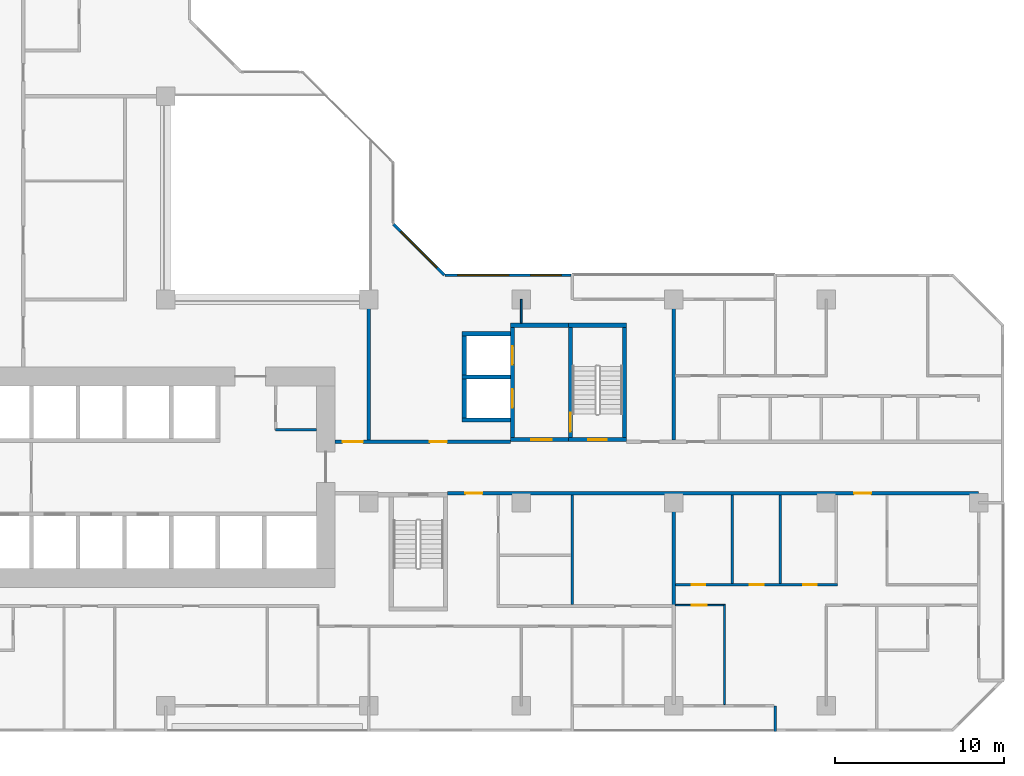
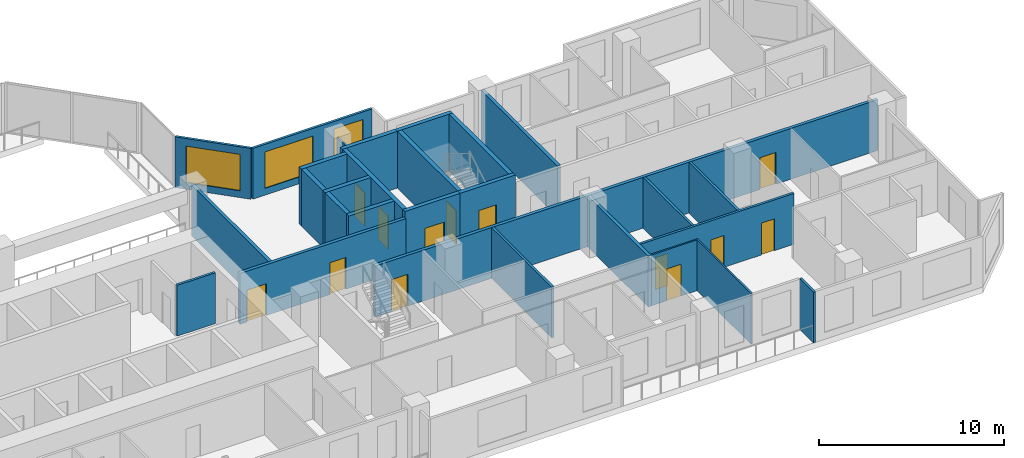
# One storey, part 7 of 15: 28 walls, 13 doors, 3 windows, 16 openings.
"""IFC4 building model written with IfcOpenShell, lengths in metres."""

from ifc_helpers import new_model, si_unit, direction, frame, frame_2d, origin, place, context, subcontext, project, spatial, rectangle, extrude, material, layer, layer_set, type_object, element, fill, save


model = new_model("IFC4")

# Units and contexts
model_context = context("Model", 3, precision=1e-05, world=origin(), true_north=direction((0.0, 1.0)))
body_context = subcontext(model_context, "Body", "Model", "MODEL_VIEW")
ifc_project = project(units=[si_unit("LENGTHUNIT", "METRE"), si_unit("AREAUNIT", "SQUARE_METRE"), si_unit("VOLUMEUNIT", "CUBIC_METRE"), si_unit("PLANEANGLEUNIT", "RADIAN"), si_unit("MASSUNIT", "GRAM", prefix="KILO")], contexts=[model_context])

# Site, building, storey
site_placement = place(None, origin())
site = spatial("IfcSite", under=ifc_project, at=site_placement, CompositionType="ELEMENT")
building_placement = place(site_placement, origin())
building = spatial("IfcBuilding", under=site, at=building_placement, Name="Chenar Terraces", CompositionType="ELEMENT")
storey_placement = place(building_placement, frame((0.0, 0.0, 52.64990234375)))
storey = spatial("IfcBuildingStorey", under=building, at=storey_placement, Name="L10", CompositionType="ELEMENT", Elevation=52.64990234375)

# Wall
ifc_material_1 = material(Name="Gypsum board on steel studs", Category="steel")
ifc_layer_1 = layer(ifc_material_1, 0.14990234375)
ifc_layer_set_1 = layer_set([ifc_layer_1], Name="Gypsum board on steel studs")
wall_type_1 = type_object("IfcWallType", Name="Core partition 150 gypsum board", PredefinedType="PARTITIONING", material=ifc_layer_set_1)
wall_1_placement = place(storey_placement, frame((30.5, 16.300048828125, 0.0), z_axis=(0.0, 0.0, 1.0), x_axis=(1.0, 0.0, 0.0)))
element("IfcWall", 1, at=wall_1_placement, inside=storey, type_object=wall_type_1, Name="Core partition CP1 vestibule room south wall", PredefinedType="PARTITIONING", context=body_context, shape_type="SweptSolid", body=[
    extrude(rectangle(XDim=2.39990234375, YDim=0.14990234375, at=frame_2d((1.199951171875, 0.0))), origin(), (0.0, 0.0, 1.0), 3.35009765625),
])

# Wall, opening, door
ifc_material_2 = material(Name="Concrete C70/85", Category="concrete")
ifc_layer_2 = layer(ifc_material_2, 0.25)
ifc_layer_set_2 = layer_set([ifc_layer_2], Name="Concrete C70/85")
wall_type_2 = type_object("IfcWallType", Name="Core wall 250 Concrete C70/85", PredefinedType="SHEAR", material=ifc_layer_set_2)
wall_2_placement = place(storey_placement, frame((47.77490234375, 15.72509765625, 0.0), z_axis=(0.0, 0.0, 1.0), x_axis=(1.0, 0.0, 0.0)))
wall_2 = element("IfcWall", 2, at=wall_2_placement, inside=storey, type_object=wall_type_2, Name="Core wall ST3_S L10", PredefinedType="SHEAR", context=body_context, shape_type="SweptSolid", body=[
    extrude(rectangle(XDim=3.4501953125, YDim=0.25, at=frame_2d((1.72509765625, 0.0))), origin(), (0.0, 0.0, 1.0), 3.75),
])
opening_1_placement = place(wall_2_placement, frame((1.175048828125, 0.0, 0.0)))
opening_1 = element("IfcOpeningElement", 3, at=opening_1_placement, cuts=wall_2, Name="Opening DL10-C8", PredefinedType="OPENING", context=body_context, shape_type="SweptSolid", body=[
    extrude(rectangle(XDim=1.10009765625, YDim=2.199951171875, at=frame_2d((0.550048828125, 1.10009765625))), frame((0.0, 0.135009765625, 0.0), z_axis=(0.0, -1.0, 0.0), x_axis=(1.0, 0.0, 0.0)), (0.0, 0.0, 1.0), 0.27001953125),
])
ifc_material_3 = material(Name="Steel-framed fire-resisting door leaf", Category="steel")
door_type_1 = type_object("IfcDoorType", Name="Stair fire door FD60 1100 x 2200", OperationType="SINGLE_SWING_LEFT", PredefinedType="DOOR", material=ifc_material_3)
door_1_placement = place(opening_1_placement, frame((1.10009765625, 0.0, 0.0), z_axis=(0.0, 0.0, 1.0), x_axis=(-1.0, 0.0, 0.0)))
door_1 = element("IfcDoor", 4, at=door_1_placement, inside=storey, type_object=door_type_1, Name="Stair door DL10-C8", OperationType="SINGLE_SWING_LEFT", OverallHeight=2.199951171875, OverallWidth=1.10009765625, PredefinedType="DOOR", context=body_context, shape_type="SweptSolid", body=[
    extrude(rectangle(XDim=1.10009765625, YDim=2.199951171875, at=frame_2d((0.550048828125, 1.10009765625))), frame((0.0, 0.02490234375, 0.0), z_axis=(0.0, -1.0, 0.0), x_axis=(1.0, 0.0, 0.0)), (0.0, 0.0, 1.0), 0.050048828125),
])
fill(opening_1, door_1)

# Wall
wall_3_placement = place(storey_placement, frame((47.77490234375, 22.47509765625, 0.0), z_axis=(0.0, 0.0, 1.0), x_axis=(1.0, 0.0, 0.0)))
element("IfcWall", 5, at=wall_3_placement, inside=storey, type_object=wall_type_2, Name="Core wall ST3_N L10", PredefinedType="SHEAR", context=body_context, shape_type="SweptSolid", body=[
    extrude(rectangle(XDim=3.4501953125, YDim=0.25, at=frame_2d((1.72509765625, 0.0))), origin(), (0.0, 0.0, 1.0), 3.75),
])

# Wall, opening, door
wall_4_placement = place(storey_placement, frame((47.89990234375, 15.85009765625, 0.0), z_axis=(0.0, 0.0, 1.0), x_axis=(0.0, 1.0, 0.0)))
wall_4 = element("IfcWall", 6, at=wall_4_placement, inside=storey, type_object=wall_type_2, Name="Core wall ST3_W L10", PredefinedType="SHEAR", context=body_context, shape_type="SweptSolid", body=[
    extrude(rectangle(XDim=6.5, YDim=0.25, at=frame_2d((3.25, 0.0))), origin(), (0.0, 0.0, 1.0), 3.75),
])
opening_2_placement = place(wall_4_placement, frame((0.35009765625, 0.0, 0.0)))
opening_2 = element("IfcOpeningElement", 7, at=opening_2_placement, cuts=wall_4, Name="Opening DL10-C11", PredefinedType="OPENING", context=body_context, shape_type="SweptSolid", body=[
    extrude(rectangle(XDim=1.10009765625, YDim=2.199951171875, at=frame_2d((0.550048828125, 1.10009765625))), frame((0.0, 0.135009765625, 0.0), z_axis=(0.0, -1.0, 0.0), x_axis=(1.0, 0.0, 0.0)), (0.0, 0.0, 1.0), 0.27001953125),
])
door_2_placement = place(opening_2_placement, frame((1.10009765625, 0.0, 0.0), z_axis=(0.0, 0.0, 1.0), x_axis=(-1.0, 0.0, 0.0)))
door_2 = element("IfcDoor", 8, at=door_2_placement, inside=storey, type_object=door_type_1, Name="Stair door DL10-C11", OperationType="SINGLE_SWING_RIGHT", OverallHeight=2.199951171875, OverallWidth=1.10009765625, PredefinedType="DOOR", context=body_context, shape_type="SweptSolid", body=[
    extrude(rectangle(XDim=1.10009765625, YDim=2.199951171875, at=frame_2d((0.550048828125, 1.10009765625))), frame((0.0, 0.02490234375, 0.0), z_axis=(0.0, -1.0, 0.0), x_axis=(1.0, 0.0, 0.0)), (0.0, 0.0, 1.0), 0.050048828125),
])
fill(opening_2, door_2)

# Wall
wall_5_placement = place(storey_placement, frame((51.10009765625, 15.85009765625, 0.0), z_axis=(0.0, 0.0, 1.0), x_axis=(0.0, 1.0, 0.0)))
element("IfcWall", 9, at=wall_5_placement, inside=storey, type_object=wall_type_2, Name="Core wall ST3_E L10", PredefinedType="SHEAR", context=body_context, shape_type="SweptSolid", body=[
    extrude(rectangle(XDim=6.5, YDim=0.25, at=frame_2d((3.25, 0.0))), origin(), (0.0, 0.0, 1.0), 3.75),
])

# Wall, opening, door
wall_6_placement = place(storey_placement, frame((44.35009765625, 15.72509765625, 0.0), z_axis=(0.0, 0.0, 1.0), x_axis=(1.0, 0.0, 0.0)))
wall_6 = element("IfcWall", 10, at=wall_6_placement, inside=storey, type_object=wall_type_2, Name="Core wall F3_LS L10", PredefinedType="SHEAR", context=body_context, shape_type="SweptSolid", body=[
    extrude(rectangle(XDim=3.4248046875, YDim=0.25, at=frame_2d((1.71240234375, 0.0))), origin(), (0.0, 0.0, 1.0), 3.75),
])
opening_3_placement = place(wall_6_placement, frame((1.25, 0.0, 0.0)))
opening_3 = element("IfcOpeningElement", 11, at=opening_3_placement, cuts=wall_6, Name="Opening DL10-C10", PredefinedType="OPENING", context=body_context, shape_type="SweptSolid", body=[
    extrude(rectangle(XDim=1.199951171875, YDim=2.199951171875, at=frame_2d((0.60009765625, 1.10009765625))), frame((0.0, 0.135009765625, 0.0), z_axis=(0.0, -1.0, 0.0), x_axis=(1.0, 0.0, 0.0)), (0.0, 0.0, 1.0), 0.27001953125),
])
ifc_material_4 = material(Name="Steel-framed fire-resisting door leaf", Category="steel")
door_type_2 = type_object("IfcDoorType", Name="Lobby fire door FD60 1200 x 2200", OperationType="SINGLE_SWING_LEFT", PredefinedType="DOOR", material=ifc_material_4)
door_3_placement = place(opening_3_placement, origin())
door_3 = element("IfcDoor", 12, at=door_3_placement, inside=storey, type_object=door_type_2, Name="Core door DL10-C10", OperationType="SINGLE_SWING_RIGHT", OverallHeight=2.199951171875, OverallWidth=1.199951171875, PredefinedType="DOOR", context=body_context, shape_type="SweptSolid", body=[
    extrude(rectangle(XDim=1.199951171875, YDim=2.199951171875, at=frame_2d((0.60009765625, 1.10009765625))), frame((0.0, 0.02490234375, 0.0), z_axis=(0.0, -1.0, 0.0), x_axis=(1.0, 0.0, 0.0)), (0.0, 0.0, 1.0), 0.050048828125),
])
fill(opening_3, door_3)

# Wall
wall_7_placement = place(storey_placement, frame((44.35009765625, 22.47509765625, 0.0), z_axis=(0.0, 0.0, 1.0), x_axis=(1.0, 0.0, 0.0)))
element("IfcWall", 13, at=wall_7_placement, inside=storey, type_object=wall_type_2, Name="Core wall F3_LN L10", PredefinedType="SHEAR", context=body_context, shape_type="SweptSolid", body=[
    extrude(rectangle(XDim=3.4248046875, YDim=0.25, at=frame_2d((1.71240234375, 0.0))), origin(), (0.0, 0.0, 1.0), 3.75),
])

# Wall, openings, doors
wall_8_placement = place(storey_placement, frame((44.47509765625, 15.85009765625, 0.0), z_axis=(0.0, 0.0, 1.0), x_axis=(0.0, 1.0, 0.0)))
wall_8 = element("IfcWall", 14, at=wall_8_placement, inside=storey, type_object=wall_type_2, Name="Core wall F3_LW L10", PredefinedType="SHEAR", context=body_context, shape_type="SweptSolid", body=[
    extrude(rectangle(XDim=6.5, YDim=0.25, at=frame_2d((3.25, 0.0))), origin(), (0.0, 0.0, 1.0), 3.75),
])
opening_4_placement = place(wall_8_placement, frame((1.75, 0.0, 0.0)))
opening_4 = element("IfcOpeningElement", 15, at=opening_4_placement, cuts=wall_8, Name="Opening DL10-LD8", PredefinedType="OPENING", context=body_context, shape_type="SweptSolid", body=[
    extrude(rectangle(XDim=1.10009765625, YDim=2.199951171875, at=frame_2d((0.550048828125, 1.10009765625))), frame((0.0, 0.135009765625, 0.0), z_axis=(0.0, -1.0, 0.0), x_axis=(1.0, 0.0, 0.0)), (0.0, 0.0, 1.0), 0.27001953125),
])
opening_5_placement = place(wall_8_placement, frame((4.300048828125, 0.0, 0.0)))
opening_5 = element("IfcOpeningElement", 16, at=opening_5_placement, cuts=wall_8, Name="Opening DL10-LD9", PredefinedType="OPENING", context=body_context, shape_type="SweptSolid", body=[
    extrude(rectangle(XDim=1.10009765625, YDim=2.199951171875, at=frame_2d((0.550048828125, 1.10009765625))), frame((0.0, 0.135009765625, 0.0), z_axis=(0.0, -1.0, 0.0), x_axis=(1.0, 0.0, 0.0)), (0.0, 0.0, 1.0), 0.27001953125),
])
ifc_material_5 = material(Name="Stainless steel", Category="steel")
door_type_3 = type_object("IfcDoorType", Name="Lift landing door 1100 x 2200 sliding", OperationType="DOUBLE_DOOR_SLIDING", PredefinedType="DOOR", material=ifc_material_5)
door_4_placement = place(opening_4_placement, origin())
door_4 = element("IfcDoor", 17, at=door_4_placement, inside=storey, type_object=door_type_3, Name="Landing door F3", OperationType="DOUBLE_DOOR_SLIDING", OverallHeight=2.199951171875, OverallWidth=1.10009765625, PredefinedType="DOOR", context=body_context, shape_type="SweptSolid", body=[
    extrude(rectangle(XDim=1.10009765625, YDim=2.199951171875, at=frame_2d((0.550048828125, 1.10009765625))), frame((0.0, 0.02490234375, 0.0), z_axis=(0.0, -1.0, 0.0), x_axis=(1.0, 0.0, 0.0)), (0.0, 0.0, 1.0), 0.050048828125),
])
fill(opening_4, door_4)
door_5_placement = place(opening_5_placement, origin())
door_5 = element("IfcDoor", 18, at=door_5_placement, inside=storey, type_object=door_type_3, Name="Landing door F4", OperationType="DOUBLE_DOOR_SLIDING", OverallHeight=2.199951171875, OverallWidth=1.10009765625, PredefinedType="DOOR", context=body_context, shape_type="SweptSolid", body=[
    extrude(rectangle(XDim=1.10009765625, YDim=2.199951171875, at=frame_2d((0.550048828125, 1.10009765625))), frame((0.0, 0.02490234375, 0.0), z_axis=(0.0, -1.0, 0.0), x_axis=(1.0, 0.0, 0.0)), (0.0, 0.0, 1.0), 0.050048828125),
])
fill(opening_5, door_5)

# Walls
for number, where, z_axis, x_axis, name in (
    (19, (41.5, 16.875, 0.0), (0.0, 0.0, 1.0), (1.0, 0.0, 0.0), "Core wall F3_SS L10"),
    (20, (41.5, 19.425048828125, 0.0), (0.0, 0.0, 1.0), (1.0, 0.0, 0.0), "Core wall F3_SM L10"),
    (21, (41.5, 21.97509765625, 0.0), (0.0, 0.0, 1.0), (1.0, 0.0, 0.0), "Core wall F4_SN L10"),
):
    element("IfcWall", number, at=place(storey_placement, frame(where, z_axis=z_axis, x_axis=x_axis)), inside=storey, type_object=wall_type_2, Name=name, PredefinedType="SHEAR", context=body_context, shape_type="SweptSolid", body=[
        extrude(rectangle(XDim=2.85009765625, YDim=0.25, at=frame_2d((1.425048828125, 0.0))), origin(), (0.0, 0.0, 1.0), 3.75),
    ])
for number, where, z_axis, x_axis, name in (
    (22, (41.625, 17.0, 0.0), (0.0, 0.0, 1.0), (0.0, 1.0, 0.0), "Core wall F3_SW L10"),
    (23, (41.625, 19.550048828125, 0.0), (0.0, 0.0, 1.0), (0.0, 1.0, 0.0), "Core wall F4_SW L10"),
):
    element("IfcWall", number, at=place(storey_placement, frame(where, z_axis=z_axis, x_axis=x_axis)), inside=storey, type_object=wall_type_2, Name=name, PredefinedType="SHEAR", context=body_context, shape_type="SweptSolid", body=[
        extrude(rectangle(XDim=2.300048828125, YDim=0.25, at=frame_2d((1.14990234375, 0.0))), origin(), (0.0, 0.0, 1.0), 3.75),
    ])

# Wall, openings, doors
ifc_material_6 = material(Name="Gypsum board on steel studs with fire boards", Category="steel")
ifc_layer_3 = layer(ifc_material_6, 0.199951171875)
ifc_layer_set_3 = layer_set([ifc_layer_3], Name="Gypsum board on steel studs with fire boards")
wall_type_3 = type_object("IfcWallType", Name="Corridor wall 200", PredefinedType="PARTITIONING", material=ifc_layer_set_3)
wall_9_placement = place(storey_placement, frame((34.0, 15.60009765625, 0.0), z_axis=(0.0, 0.0, 1.0), x_axis=(1.0, 0.0, 0.0)))
wall_9 = element("IfcWall", 24, at=wall_9_placement, inside=storey, type_object=wall_type_3, Name="Partition L10-069", PredefinedType="PARTITIONING", context=body_context, shape_type="SweptSolid", body=[
    extrude(rectangle(XDim=10.35009765625, YDim=0.199951171875, at=frame_2d((5.175048828125, 0.0))), origin(), (0.0, 0.0, 1.0), 3.35009765625),
])
opening_6_placement = place(wall_9_placement, frame((5.60009765625, 0.0, 0.0)))
opening_6 = element("IfcOpeningElement", 25, at=opening_6_placement, cuts=wall_9, Name="Opening DL10-3", PredefinedType="OPENING", context=body_context, shape_type="SweptSolid", body=[
    extrude(rectangle(XDim=1.0, YDim=2.10009765625, at=frame_2d((0.5, 1.050048828125))), frame((0.0, 0.10986328125, 0.0), z_axis=(0.0, -1.0, 0.0), x_axis=(1.0, 0.0, 0.0)), (0.0, 0.0, 1.0), 0.219970703125),
])
opening_7_placement = place(wall_9_placement, frame((0.449951171875, 0.0, 0.0)))
opening_7 = element("IfcOpeningElement", 26, at=opening_7_placement, cuts=wall_9, Name="Opening DL10-46", PredefinedType="OPENING", context=body_context, shape_type="SweptSolid", body=[
    extrude(rectangle(XDim=1.199951171875, YDim=2.10009765625, at=frame_2d((0.60009765625, 1.050048828125))), frame((0.0, 0.10986328125, 0.0), z_axis=(0.0, -1.0, 0.0), x_axis=(1.0, 0.0, 0.0)), (0.0, 0.0, 1.0), 0.219970703125),
])
ifc_material_7 = material(Name="Steel-framed fire-resisting door leaf", Category="steel")
door_type_4 = type_object("IfcDoorType", Name="Fire door FD60 1000 x 2100", OperationType="SINGLE_SWING_LEFT", PredefinedType="DOOR", material=ifc_material_7)
door_6_placement = place(opening_6_placement, origin())
door_6 = element("IfcDoor", 27, at=door_6_placement, inside=storey, type_object=door_type_4, Name="Door DL10-3", OperationType="SINGLE_SWING_RIGHT", OverallHeight=2.10009765625, OverallWidth=1.0, PredefinedType="DOOR", context=body_context, shape_type="SweptSolid", body=[
    extrude(rectangle(XDim=1.0, YDim=2.10009765625, at=frame_2d((0.5, 1.050048828125))), frame((0.0, 0.02490234375, 0.0), z_axis=(0.0, -1.0, 0.0), x_axis=(1.0, 0.0, 0.0)), (0.0, 0.0, 1.0), 0.050048828125),
])
fill(opening_6, door_6)
ifc_material_8 = material(Name="Steel-framed fire-resisting door leaf", Category="steel")
door_type_5 = type_object("IfcDoorType", Name="Fire door FD60 1200 x 2100", OperationType="SINGLE_SWING_LEFT", PredefinedType="DOOR", material=ifc_material_8)
door_7_placement = place(opening_7_placement, origin())
door_7 = element("IfcDoor", 28, at=door_7_placement, inside=storey, type_object=door_type_5, Name="Door DL10-46", OperationType="SINGLE_SWING_RIGHT", OverallHeight=2.10009765625, OverallWidth=1.199951171875, PredefinedType="DOOR", context=body_context, shape_type="SweptSolid", body=[
    extrude(rectangle(XDim=1.199951171875, YDim=2.10009765625, at=frame_2d((0.60009765625, 1.050048828125))), frame((0.0, 0.02490234375, 0.0), z_axis=(0.0, -1.0, 0.0), x_axis=(1.0, 0.0, 0.0)), (0.0, 0.0, 1.0), 0.050048828125),
])
fill(opening_7, door_7)

# Wall
wall_10_placement = place(storey_placement, frame((36.0, 15.699951171875, 0.0), z_axis=(0.0, 0.0, 1.0), x_axis=(0.0, 1.0, 0.0)))
element("IfcWall", 29, at=wall_10_placement, inside=storey, type_object=wall_type_3, Name="Partition L10-071", PredefinedType="PARTITIONING", context=body_context, shape_type="SweptSolid", body=[
    extrude(rectangle(XDim=8.300048828125, YDim=0.199951171875, at=frame_2d((4.14990234375, 0.0))), origin(), (0.0, 0.0, 1.0), 3.35009765625),
])

# Wall, openings, doors
wall_11_placement = place(storey_placement, frame((40.64990234375, 12.550048828125, 0.0), z_axis=(0.0, 0.0, 1.0), x_axis=(1.0, 0.0, 0.0)))
wall_11 = element("IfcWall", 30, at=wall_11_placement, inside=storey, type_object=wall_type_3, Name="Partition L10-072", PredefinedType="PARTITIONING", context=body_context, shape_type="SweptSolid", body=[
    extrude(rectangle(XDim=31.35009765625, YDim=0.199951171875, at=frame_2d((15.675048828125, 0.0))), origin(), (0.0, 0.0, 1.0), 3.35009765625),
])
opening_8_placement = place(wall_11_placement, frame((24.0, 0.0, 0.0)))
opening_8 = element("IfcOpeningElement", 31, at=opening_8_placement, cuts=wall_11, Name="Opening DL10-21", PredefinedType="OPENING", context=body_context, shape_type="SweptSolid", body=[
    extrude(rectangle(XDim=1.0, YDim=2.10009765625, at=frame_2d((0.5, 1.050048828125))), frame((0.0, 0.10986328125, 0.0), z_axis=(0.0, -1.0, 0.0), x_axis=(1.0, 0.0, 0.0)), (0.0, 0.0, 1.0), 0.219970703125),
])
opening_9_placement = place(wall_11_placement, frame((1.050048828125, 0.0, 0.0)))
opening_9 = element("IfcOpeningElement", 32, at=opening_9_placement, cuts=wall_11, Name="Opening DL10-63", PredefinedType="OPENING", context=body_context, shape_type="SweptSolid", body=[
    extrude(rectangle(XDim=1.0, YDim=2.10009765625, at=frame_2d((0.5, 1.050048828125))), frame((0.0, 0.10986328125, 0.0), z_axis=(0.0, -1.0, 0.0), x_axis=(1.0, 0.0, 0.0)), (0.0, 0.0, 1.0), 0.219970703125),
])
ifc_material_9 = material(Name="Steel-framed fire-resisting door leaf", Category="steel")
door_type_6 = type_object("IfcDoorType", Name="Fire door FD30S 1000 x 2100", OperationType="SINGLE_SWING_LEFT", PredefinedType="DOOR", material=ifc_material_9)
door_8_placement = place(opening_8_placement, frame((1.0, 0.0, 0.0), z_axis=(0.0, 0.0, 1.0), x_axis=(-1.0, 0.0, 0.0)))
door_8 = element("IfcDoor", 33, at=door_8_placement, inside=storey, type_object=door_type_6, Name="Door DL10-21", OperationType="SINGLE_SWING_LEFT", OverallHeight=2.10009765625, OverallWidth=1.0, PredefinedType="DOOR", context=body_context, shape_type="SweptSolid", body=[
    extrude(rectangle(XDim=1.0, YDim=2.10009765625, at=frame_2d((0.5, 1.050048828125))), frame((0.0, 0.02490234375, 0.0), z_axis=(0.0, -1.0, 0.0), x_axis=(1.0, 0.0, 0.0)), (0.0, 0.0, 1.0), 0.050048828125),
])
fill(opening_8, door_8)
door_9_placement = place(opening_9_placement, origin())
door_9 = element("IfcDoor", 34, at=door_9_placement, inside=storey, type_object=door_type_6, Name="Door DL10-63", OperationType="SINGLE_SWING_RIGHT", OverallHeight=2.10009765625, OverallWidth=1.0, PredefinedType="DOOR", context=body_context, shape_type="SweptSolid", body=[
    extrude(rectangle(XDim=1.0, YDim=2.10009765625, at=frame_2d((0.5, 1.050048828125))), frame((0.0, 0.02490234375, 0.0), z_axis=(0.0, -1.0, 0.0), x_axis=(1.0, 0.0, 0.0)), (0.0, 0.0, 1.0), 0.050048828125),
])
fill(opening_9, door_9)

# Wall, openings, windows
ifc_material_10 = material(Name="Aluminium framed glazing", Category="aluminium")
ifc_layer_4 = layer(ifc_material_10, 0.14990234375)
ifc_layer_set_4 = layer_set([ifc_layer_4], Name="Aluminium framed glazing")
wall_type_4 = type_object("IfcWallType", Name="Glazed flush facade wall 150", PredefinedType="SOLIDWALL", material=ifc_layer_set_4)
wall_12_placement = place(storey_placement, frame((47.925048828125, 25.425048828125, 0.0), z_axis=(0.0, 0.0, 1.0), x_axis=(-1.0, 0.0, 0.0)))
wall_12 = element("IfcWall", 35, at=wall_12_placement, inside=storey, type_object=wall_type_4, Name="Glazed flush facade wall", PredefinedType="SOLIDWALL", context=body_context, shape_type="SweptSolid", body=[
    extrude(rectangle(XDim=7.425048828125, YDim=0.14990234375, at=frame_2d((3.71240234375, 0.0))), origin(), (0.0, 0.0, 1.0), 3.35009765625),
])
opening_10_placement = place(wall_12_placement, frame((0.5625, 0.0, 0.449951171875)))
opening_10 = element("IfcOpeningElement", 36, at=opening_10_placement, cuts=wall_12, Name="Opening W180x240", PredefinedType="OPENING", context=body_context, shape_type="SweptSolid", body=[
    extrude(rectangle(XDim=1.800048828125, YDim=2.39990234375, at=frame_2d((0.89990234375, 1.199951171875))), frame((0.0, 0.0849609375, 0.0), z_axis=(0.0, -1.0, 0.0), x_axis=(1.0, 0.0, 0.0)), (0.0, 0.0, 1.0), 0.169921875),
])
opening_11_placement = place(wall_12_placement, frame((3.675048828125, 0.0, 0.449951171875)))
opening_11 = element("IfcOpeningElement", 37, at=opening_11_placement, cuts=wall_12, Name="Opening W300x240", PredefinedType="OPENING", context=body_context, shape_type="SweptSolid", body=[
    extrude(rectangle(XDim=3.0, YDim=2.39990234375, at=frame_2d((1.5, 1.199951171875))), frame((0.0, 0.0849609375, 0.0), z_axis=(0.0, -1.0, 0.0), x_axis=(1.0, 0.0, 0.0)), (0.0, 0.0, 1.0), 0.169921875),
])
ifc_material_11 = material(Name="Low emissivity double glazing, aluminium frame", Category="aluminium")
window_type_1 = type_object("IfcWindowType", Name="Fixed light 1800 x 2400", PartitioningType="SINGLE_PANEL", PredefinedType="WINDOW", material=ifc_material_11)
window_1_placement = place(opening_10_placement, origin())
window_1 = element("IfcWindow", 38, at=window_1_placement, inside=storey, type_object=window_type_1, Name="Window", OverallHeight=2.39990234375, OverallWidth=1.800048828125, PartitioningType="SINGLE_PANEL", PredefinedType="WINDOW", context=body_context, shape_type="SweptSolid", body=[
    extrude(rectangle(XDim=1.800048828125, YDim=2.39990234375, at=frame_2d((0.89990234375, 1.199951171875))), frame((0.0, 0.030029296875, 0.0), z_axis=(0.0, -1.0, 0.0), x_axis=(1.0, 0.0, 0.0)), (0.0, 0.0, 1.0), 0.06005859375),
])
fill(opening_10, window_1)
ifc_material_12 = material(Name="Low emissivity double glazing, aluminium frame", Category="aluminium")
window_type_2 = type_object("IfcWindowType", Name="Fixed light 3000 x 2400", PartitioningType="SINGLE_PANEL", PredefinedType="WINDOW", material=ifc_material_12)
window_2_placement = place(opening_11_placement, origin())
window_2 = element("IfcWindow", 39, at=window_2_placement, inside=storey, type_object=window_type_2, Name="Window", OverallHeight=2.39990234375, OverallWidth=3.0, PartitioningType="SINGLE_PANEL", PredefinedType="WINDOW", context=body_context, shape_type="SweptSolid", body=[
    extrude(rectangle(XDim=3.0, YDim=2.39990234375, at=frame_2d((1.5, 1.199951171875))), frame((0.0, 0.030029296875, 0.0), z_axis=(0.0, -1.0, 0.0), x_axis=(1.0, 0.0, 0.0)), (0.0, 0.0, 1.0), 0.06005859375),
])
fill(opening_11, window_2)

# Wall
ifc_material_13 = material(Name="Gypsum board on steel studs", Category="steel")
ifc_layer_5 = layer(ifc_material_13, 0.10009765625)
ifc_layer_set_5 = layer_set([ifc_layer_5], Name="Gypsum board on steel studs")
wall_type_5 = type_object("IfcWallType", Name="Gypsum partition 100", PredefinedType="PARTITIONING", material=ifc_layer_set_5)
wall_13_placement = place(storey_placement, frame((45.0, 22.60009765625, 0.0), z_axis=(0.0, 0.0, 1.0), x_axis=(0.0, 1.0, 0.0)))
element("IfcWall", 40, at=wall_13_placement, inside=storey, type_object=wall_type_5, Name="Partition L10-077", PredefinedType="PARTITIONING", context=body_context, shape_type="SweptSolid", body=[
    extrude(rectangle(XDim=1.39990234375, YDim=0.10009765625, at=frame_2d((0.699951171875, 0.0))), origin(), (0.0, 0.0, 1.0), 3.35009765625),
])

# Wall, opening, door
wall_14_placement = place(storey_placement, frame((54.10009765625, 5.949951171875, 0.0), z_axis=(0.0, 0.0, 1.0), x_axis=(1.0, 0.0, 0.0)))
wall_14 = element("IfcWall", 41, at=wall_14_placement, inside=storey, type_object=wall_type_5, Name="Partition L10-085", PredefinedType="PARTITIONING", context=body_context, shape_type="SweptSolid", body=[
    extrude(rectangle(XDim=2.849853515625, YDim=0.10009765625, at=frame_2d((1.4248046875, 0.0))), origin(), (0.0, 0.0, 1.0), 3.35009765625),
])
opening_12_placement = place(wall_14_placement, frame((0.949951171875, 0.0, 0.0)))
opening_12 = element("IfcOpeningElement", 42, at=opening_12_placement, cuts=wall_14, Name="Opening DL10-15", PredefinedType="OPENING", context=body_context, shape_type="SweptSolid", body=[
    extrude(rectangle(XDim=0.89990234375, YDim=2.10009765625, at=frame_2d((0.449951171875, 1.050048828125))), frame((0.0, 0.06005859375, 0.0), z_axis=(0.0, -1.0, 0.0), x_axis=(1.0, 0.0, 0.0)), (0.0, 0.0, 1.0), 0.1201171875),
])
ifc_material_14 = material(Name="Veneered timber door leaf", Category="wood")
door_type_7 = type_object("IfcDoorType", Name="Door 900 x 2100", OperationType="SINGLE_SWING_LEFT", PredefinedType="DOOR", material=ifc_material_14)
door_10_placement = place(opening_12_placement, frame((0.89990234375, 0.0, 0.0), z_axis=(0.0, 0.0, 1.0), x_axis=(-1.0, 0.0, 0.0)))
door_10 = element("IfcDoor", 43, at=door_10_placement, inside=storey, type_object=door_type_7, Name="Door DL10-15", OperationType="SINGLE_SWING_LEFT", OverallHeight=2.10009765625, OverallWidth=0.89990234375, PredefinedType="DOOR", context=body_context, shape_type="SweptSolid", body=[
    extrude(rectangle(XDim=0.89990234375, YDim=2.10009765625, at=frame_2d((0.449951171875, 1.050048828125))), frame((0.0, 0.02490234375, 0.0), z_axis=(0.0, -1.0, 0.0), x_axis=(1.0, 0.0, 0.0)), (0.0, 0.0, 1.0), 0.050048828125),
])
fill(opening_12, door_10)

# Walls
wall_15_placement = place(storey_placement, frame((57.0, 0.073974609375, 0.0), z_axis=(0.0, 0.0, 1.0), x_axis=(0.0, 1.0, 0.0)))
element("IfcWall", 44, at=wall_15_placement, inside=storey, type_object=wall_type_5, Name="Partition L10-090", PredefinedType="PARTITIONING", context=body_context, shape_type="SweptSolid", body=[
    extrude(rectangle(XDim=5.926025390625, YDim=0.10009765625, at=frame_2d((2.962890625, 0.0))), origin(), (0.0, 0.0, 1.0), 3.35009765625),
])
ifc_material_15 = material(Name="Terracotta cladding on insulated backing", Category="masonry")
ifc_layer_6 = layer(ifc_material_15, 0.14990234375)
ifc_layer_set_6 = layer_set([ifc_layer_6], Name="Terracotta cladding on insulated backing")
wall_type_6 = type_object("IfcWallType", Name="Loggia return wall 150", PredefinedType="SOLIDWALL", material=ifc_layer_set_6)
wall_16_placement = place(storey_placement, frame((60.0, -1.5, 0.0), z_axis=(0.0, 0.0, 1.0), x_axis=(0.0, 1.0, 0.0)))
element("IfcWall", 45, at=wall_16_placement, inside=storey, type_object=wall_type_6, Name="Loggia return wall", PredefinedType="SOLIDWALL", context=body_context, shape_type="SweptSolid", body=[
    extrude(rectangle(XDim=1.5, YDim=0.14990234375, at=frame_2d((0.75, 0.0))), origin(), (0.0, 0.0, 1.0), 3.35009765625),
])

# Wall, opening, window
ifc_material_16 = material(Name="Terracotta cladding on insulated backing", Category="masonry")
ifc_layer_7 = layer(ifc_material_16, 0.14990234375)
ifc_layer_set_7 = layer_set([ifc_layer_7], Name="Terracotta cladding on insulated backing")
wall_type_7 = type_object("IfcWallType", Name="Terracotta rainscreen wall 150", PredefinedType="SOLIDWALL", material=ifc_layer_set_7)
wall_17_placement = place(storey_placement, frame((40.447021484375, 25.447021484375, 0.0), z_axis=(0.0, 0.0, 1.0), x_axis=(-0.707106781187, 0.707106781187, 0.0)))
wall_17 = element("IfcWall", 46, at=wall_17_placement, inside=storey, type_object=wall_type_7, Name="Terracotta rainscreen wall", PredefinedType="SOLIDWALL", context=body_context, shape_type="SweptSolid", body=[
    extrude(rectangle(XDim=4.24267578125, YDim=0.14990234375, at=frame_2d((2.121337890625, 0.0))), origin(), (0.0, 0.0, 1.0), 3.35009765625),
])
opening_13_placement = place(wall_17_placement, frame((0.621337890625, 0.0, 0.449951171875)))
opening_13 = element("IfcOpeningElement", 47, at=opening_13_placement, cuts=wall_17, Name="Opening W300x240", PredefinedType="OPENING", context=body_context, shape_type="SweptSolid", body=[
    extrude(rectangle(XDim=3.0, YDim=2.39990234375, at=frame_2d((1.5, 1.199951171875))), frame((0.0, 0.0849609375, 0.0), z_axis=(0.0, -1.0, 0.0), x_axis=(1.0, 0.0, 0.0)), (0.0, 0.0, 1.0), 0.169921875),
])
window_3_placement = place(opening_13_placement, origin())
window_3 = element("IfcWindow", 48, at=window_3_placement, inside=storey, type_object=window_type_2, Name="Window", OverallHeight=2.39990234375, OverallWidth=3.0, PartitioningType="SINGLE_PANEL", PredefinedType="WINDOW", context=body_context, shape_type="SweptSolid", body=[
    extrude(rectangle(XDim=3.0, YDim=2.39990234375, at=frame_2d((1.5, 1.199951171875))), frame((0.0, 0.030029296875, 0.0), z_axis=(0.0, -1.0, 0.0), x_axis=(1.0, 0.0, 0.0)), (0.0, 0.0, 1.0), 0.06005859375),
])
fill(opening_13, window_3)

# Walls
ifc_material_17 = material(Name="Twin gypsum board on steel studs with mineral wool", Category="steel")
ifc_layer_8 = layer(ifc_material_17, 0.199951171875)
ifc_layer_set_8 = layer_set([ifc_layer_8], Name="Twin gypsum board on steel studs with mineral wool")
wall_type_8 = type_object("IfcWallType", Name="Unit demising wall 200", PredefinedType="PARTITIONING", material=ifc_layer_set_8)
wall_18_placement = place(storey_placement, frame((54.0, 5.89990234375, 0.0), z_axis=(0.0, 0.0, 1.0), x_axis=(0.0, 1.0, 0.0)))
element("IfcWall", 49, at=wall_18_placement, inside=storey, type_object=wall_type_8, Name="Partition L10-083", PredefinedType="PARTITIONING", context=body_context, shape_type="SweptSolid", body=[
    extrude(rectangle(XDim=6.550048828125, YDim=0.199951171875, at=frame_2d((3.27490234375, 0.0))), origin(), (0.0, 0.0, 1.0), 3.35009765625),
])
wall_19_placement = place(storey_placement, frame((54.0, 15.699951171875, 0.0), z_axis=(0.0, 0.0, 1.0), x_axis=(0.0, 1.0, 0.0)))
element("IfcWall", 50, at=wall_19_placement, inside=storey, type_object=wall_type_8, Name="Partition L10-084", PredefinedType="PARTITIONING", context=body_context, shape_type="SweptSolid", body=[
    extrude(rectangle(XDim=8.22607421875, YDim=0.199951171875, at=frame_2d((4.113037109375, 0.0))), origin(), (0.0, 0.0, 1.0), 3.35009765625),
])
ifc_material_18 = material(Name="Moisture-resistant gypsum board on steel studs", Category="steel")
ifc_layer_9 = layer(ifc_material_18, 0.14990234375)
ifc_layer_set_9 = layer_set([ifc_layer_9], Name="Moisture-resistant gypsum board on steel studs")
wall_type_9 = type_object("IfcWallType", Name="Wet-room partition 150", PredefinedType="PARTITIONING", material=ifc_layer_set_9)
wall_20_placement = place(storey_placement, frame((48.0, 5.97509765625, 0.0), z_axis=(0.0, 0.0, 1.0), x_axis=(0.0, 1.0, 0.0)))
element("IfcWall", 51, at=wall_20_placement, inside=storey, type_object=wall_type_9, Name="Partition L10-079", PredefinedType="PARTITIONING", context=body_context, shape_type="SweptSolid", body=[
    extrude(rectangle(XDim=6.474853515625, YDim=0.14990234375, at=frame_2d((3.2373046875, 0.0))), origin(), (0.0, 0.0, 1.0), 3.35009765625),
])

# Wall, openings, doors
wall_21_placement = place(storey_placement, frame((54.10009765625, 7.14990234375, 0.0), z_axis=(0.0, 0.0, 1.0), x_axis=(1.0, 0.0, 0.0)))
wall_21 = element("IfcWall", 52, at=wall_21_placement, inside=storey, type_object=wall_type_9, Name="Partition L10-086", PredefinedType="PARTITIONING", context=body_context, shape_type="SweptSolid", body=[
    extrude(rectangle(XDim=9.574951171875, YDim=0.14990234375, at=frame_2d((4.78759765625, 0.0))), origin(), (0.0, 0.0, 1.0), 3.35009765625),
])
opening_14_placement = place(wall_21_placement, frame((7.550048828125, 0.0, 0.0)))
opening_14 = element("IfcOpeningElement", 53, at=opening_14_placement, cuts=wall_21, Name="Opening DL10-14", PredefinedType="OPENING", context=body_context, shape_type="SweptSolid", body=[
    extrude(rectangle(XDim=0.800048828125, YDim=2.10009765625, at=frame_2d((0.39990234375, 1.050048828125))), frame((0.0, 0.0849609375, 0.0), z_axis=(0.0, -1.0, 0.0), x_axis=(1.0, 0.0, 0.0)), (0.0, 0.0, 1.0), 0.169921875),
])
opening_15_placement = place(wall_21_placement, frame((0.949951171875, 0.0, 0.0)))
opening_15 = element("IfcOpeningElement", 54, at=opening_15_placement, cuts=wall_21, Name="Opening DL10-20", PredefinedType="OPENING", context=body_context, shape_type="SweptSolid", body=[
    extrude(rectangle(XDim=0.800048828125, YDim=2.10009765625, at=frame_2d((0.39990234375, 1.050048828125))), frame((0.0, 0.0849609375, 0.0), z_axis=(0.0, -1.0, 0.0), x_axis=(1.0, 0.0, 0.0)), (0.0, 0.0, 1.0), 0.169921875),
])
opening_16_placement = place(wall_21_placement, frame((4.39990234375, 0.0, 0.0)))
opening_16 = element("IfcOpeningElement", 55, at=opening_16_placement, cuts=wall_21, Name="Opening DL10-22", PredefinedType="OPENING", context=body_context, shape_type="SweptSolid", body=[
    extrude(rectangle(XDim=0.800048828125, YDim=2.10009765625, at=frame_2d((0.39990234375, 1.050048828125))), frame((0.0, 0.0849609375, 0.0), z_axis=(0.0, -1.0, 0.0), x_axis=(1.0, 0.0, 0.0)), (0.0, 0.0, 1.0), 0.169921875),
])
ifc_material_19 = material(Name="Veneered timber door leaf", Category="wood")
door_type_8 = type_object("IfcDoorType", Name="Door 800 x 2100", OperationType="SINGLE_SWING_LEFT", PredefinedType="DOOR", material=ifc_material_19)
door_11_placement = place(opening_14_placement, origin())
door_11 = element("IfcDoor", 56, at=door_11_placement, inside=storey, type_object=door_type_8, Name="Door DL10-14", OperationType="SINGLE_SWING_RIGHT", OverallHeight=2.10009765625, OverallWidth=0.800048828125, PredefinedType="DOOR", context=body_context, shape_type="SweptSolid", body=[
    extrude(rectangle(XDim=0.800048828125, YDim=2.10009765625, at=frame_2d((0.39990234375, 1.050048828125))), frame((0.0, 0.02490234375, 0.0), z_axis=(0.0, -1.0, 0.0), x_axis=(1.0, 0.0, 0.0)), (0.0, 0.0, 1.0), 0.050048828125),
])
fill(opening_14, door_11)
door_12_placement = place(opening_15_placement, origin())
door_12 = element("IfcDoor", 57, at=door_12_placement, inside=storey, type_object=door_type_8, Name="Door DL10-20", OperationType="SINGLE_SWING_LEFT", OverallHeight=2.10009765625, OverallWidth=0.800048828125, PredefinedType="DOOR", context=body_context, shape_type="SweptSolid", body=[
    extrude(rectangle(XDim=0.800048828125, YDim=2.10009765625, at=frame_2d((0.39990234375, 1.050048828125))), frame((0.0, 0.02490234375, 0.0), z_axis=(0.0, -1.0, 0.0), x_axis=(1.0, 0.0, 0.0)), (0.0, 0.0, 1.0), 0.050048828125),
])
fill(opening_15, door_12)
door_13_placement = place(opening_16_placement, origin())
door_13 = element("IfcDoor", 58, at=door_13_placement, inside=storey, type_object=door_type_8, Name="Door DL10-22", OperationType="SINGLE_SWING_RIGHT", OverallHeight=2.10009765625, OverallWidth=0.800048828125, PredefinedType="DOOR", context=body_context, shape_type="SweptSolid", body=[
    extrude(rectangle(XDim=0.800048828125, YDim=2.10009765625, at=frame_2d((0.39990234375, 1.050048828125))), frame((0.0, 0.02490234375, 0.0), z_axis=(0.0, -1.0, 0.0), x_axis=(1.0, 0.0, 0.0)), (0.0, 0.0, 1.0), 0.050048828125),
])
fill(opening_16, door_13)

# Walls
for number, where, z_axis, x_axis, name in (
    (59, (57.449951171875, 7.22509765625, 0.0), (0.0, 0.0, 1.0), (0.0, 1.0, 0.0), "Partition L10-092"),
    (60, (60.300048828125, 7.22509765625, 0.0), (0.0, 0.0, 1.0), (0.0, 1.0, 0.0), "Partition L10-095"),
):
    element("IfcWall", number, at=place(storey_placement, frame(where, z_axis=z_axis, x_axis=x_axis)), inside=storey, type_object=wall_type_9, Name=name, PredefinedType="PARTITIONING", context=body_context, shape_type="SweptSolid", body=[
        extrude(rectangle(XDim=5.224853515625, YDim=0.14990234375, at=frame_2d((2.6123046875, 0.0))), origin(), (0.0, 0.0, 1.0), 3.35009765625),
    ])

save(model, "model.ifc")
